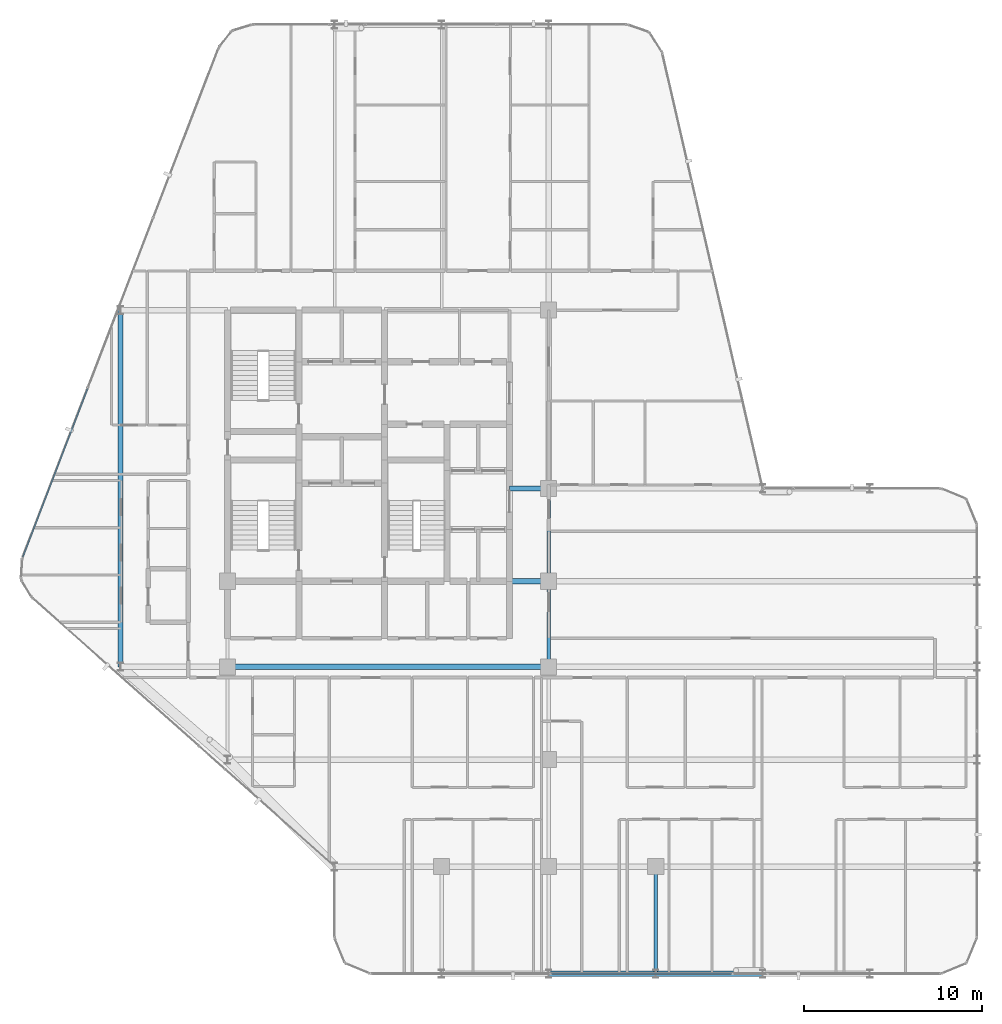
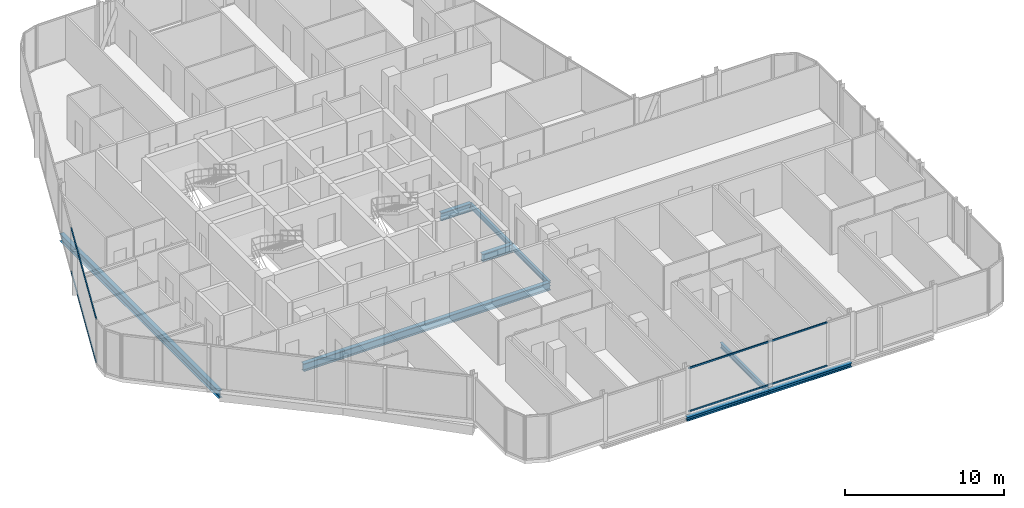
# One storey, part 9 of 29: 9 beams, 4 members, 2 elements without a shape of their own.
"""IFC4 building model written with IfcOpenShell, lengths in metres."""

from ifc_helpers import new_model, si_unit, direction, frame, origin, origin_2d, place, context, subcontext, project, spatial, hollow_rectangle, i_section, extrude, material, layer, layer_set, material_profile, profile_set, type_object, element, aggregate, save


model = new_model("IFC4")

# Units and contexts
model_context = context("Model", 3, precision=1e-05, world=origin(), true_north=direction((0.0, 1.0)))
body_context = subcontext(model_context, "Body", "Model", "MODEL_VIEW")
ifc_project = project(units=[si_unit("LENGTHUNIT", "METRE"), si_unit("AREAUNIT", "SQUARE_METRE"), si_unit("VOLUMEUNIT", "CUBIC_METRE"), si_unit("PLANEANGLEUNIT", "RADIAN"), si_unit("MASSUNIT", "GRAM", prefix="KILO")], contexts=[model_context])

# Site, building, storey
site_placement = place(None, origin())
site = spatial("IfcSite", under=ifc_project, at=site_placement, CompositionType="ELEMENT")
building_placement = place(site_placement, origin())
building = spatial("IfcBuilding", under=site, at=building_placement, Name="Keshet Zoharim Tower", CompositionType="ELEMENT")
storey_placement = place(building_placement, frame((0.0, 0.0, 172.800048828125)))
storey = spatial("IfcBuildingStorey", under=building, at=storey_placement, Name="L42", CompositionType="ELEMENT", Elevation=172.800048828125)

# Beams
ifc_material_1 = material(Name="Steel S355", Category="steel")
ifc_material_profile_1 = material_profile(ifc_material_1, i_section(OverallWidth=0.300048828125, OverallDepth=0.60009765625, WebThickness=0.015380859375, FlangeThickness=0.030029296875, FilletRadius=0.027099609375, at=origin_2d()), Name="HEB600")
ifc_profile_set_1 = profile_set([ifc_material_profile_1], Name="Steel S355")
beam_type_1 = type_object("IfcBeamType", Name="BM-CLK-HB600", PredefinedType="BEAM", material=ifc_profile_set_1)
for number, where, z_axis, x_axis, name in (
    (1, (30.800048828125, 22.699951171875, -0.610107421875), (1.0, 0.0, 0.0), (0.0, 1.0, 0.0), "L42 Core Wall Link Girder 01"),
    (2, (30.800048828125, 27.89990234375, -0.610107421875), (1.0, 0.0, 0.0), (0.0, 1.0, 0.0), "L42 Core Wall Link Girder 02"),
):
    element("IfcBeam", number, at=place(storey_placement, frame(where, z_axis=z_axis, x_axis=x_axis)), inside=storey, type_object=beam_type_1, Name=name, PredefinedType="BEAM", context=body_context, shape_type="SweptSolid", body=[
        extrude(i_section(OverallWidth=0.300048828125, OverallDepth=0.60009765625, WebThickness=0.015380859375, FlangeThickness=0.030029296875, FilletRadius=0.027099609375, at=origin_2d()), origin(), (0.0, 0.0, 1.0), 2.199951171875),
    ])
ifc_material_profile_2 = material_profile(ifc_material_1, i_section(OverallWidth=0.300048828125, OverallDepth=0.60009765625, WebThickness=0.015380859375, FlangeThickness=0.030029296875, FilletRadius=0.027099609375, at=origin_2d()), Name="HEB600")
ifc_profile_set_2 = profile_set([ifc_material_profile_2], Name="Steel S355")
beam_type_2 = type_object("IfcBeamType", Name="BM-LNG-HB600", PredefinedType="BEAM", material=ifc_profile_set_2)
beam_1_placement = place(storey_placement, frame((15.0, 17.89990234375, -0.610107421875), z_axis=(1.0, 0.0, 0.0), x_axis=(0.0, 1.0, 0.0)))
element("IfcBeam", 3, at=beam_1_placement, inside=storey, type_object=beam_type_2, Name="L42 Primary Girder X-012", PredefinedType="BEAM", context=body_context, shape_type="SweptSolid", body=[
    extrude(i_section(OverallWidth=0.300048828125, OverallDepth=0.60009765625, WebThickness=0.015380859375, FlangeThickness=0.030029296875, FilletRadius=0.027099609375, at=origin_2d()), origin(), (0.0, 0.0, 1.0), 18.0),
])
beam_2_placement = place(storey_placement, frame((9.0, 17.89990234375, -0.610107421875), z_axis=(0.0, 1.0, 0.0), x_axis=(-1.0, 0.0, 0.0)))
element("IfcBeam", 4, at=beam_2_placement, inside=storey, type_object=beam_type_2, Name="L42 Primary Girder Y-001", PredefinedType="BEAM", context=body_context, shape_type="SweptSolid", body=[
    extrude(i_section(OverallWidth=0.300048828125, OverallDepth=0.60009765625, WebThickness=0.015380859375, FlangeThickness=0.030029296875, FilletRadius=0.027099609375, at=origin_2d()), origin(), (0.0, 0.0, 1.0), 20.0),
])
ifc_material_profile_3 = material_profile(ifc_material_1, i_section(OverallWidth=0.300048828125, OverallDepth=0.300048828125, WebThickness=0.010986328125, FlangeThickness=0.01904296875, FilletRadius=0.027099609375, at=origin_2d()), Name="HEB300")
ifc_profile_set_3 = profile_set([ifc_material_profile_3], Name="Steel S355")
beam_type_3 = type_object("IfcBeamType", Name="BM-PRI-HB300", PredefinedType="BEAM", material=ifc_profile_set_3)
for number, where, z_axis, x_axis, name in (
    (5, (33.0, 0.699951171875, -0.4599609375), (1.0, 0.0, 0.0), (0.0, 1.0, 0.0), "L42 Primary Girder X-002"),
    (6, (39.0, 0.699951171875, -0.4599609375), (1.0, 0.0, 0.0), (0.0, 1.0, 0.0), "L42 Primary Girder X-003"),
):
    element("IfcBeam", number, at=place(storey_placement, frame(where, z_axis=z_axis, x_axis=x_axis)), inside=storey, type_object=beam_type_3, Name=name, PredefinedType="BEAM", context=body_context, shape_type="SweptSolid", body=[
        extrude(i_section(OverallWidth=0.300048828125, OverallDepth=0.300048828125, WebThickness=0.010986328125, FlangeThickness=0.01904296875, FilletRadius=0.027099609375, at=origin_2d()), origin(), (0.0, 0.0, 1.0), 6.0),
    ])
ifc_material_profile_4 = material_profile(ifc_material_1, i_section(OverallWidth=0.179931640625, OverallDepth=0.39990234375, WebThickness=0.008544921875, FlangeThickness=0.013427734375, FilletRadius=0.02099609375, at=origin_2d()), Name="IPE400")
ifc_profile_set_4 = profile_set([ifc_material_profile_4], Name="Steel S355")
beam_type_4 = type_object("IfcBeamType", Name="BM-PRI-IP400", PredefinedType="BEAM", material=ifc_profile_set_4)
beam_3_placement = place(storey_placement, frame((33.0, 17.89990234375, -0.510009765625), z_axis=(0.0, 1.0, 0.0), x_axis=(-1.0, 0.0, 0.0)))
element("IfcBeam", 7, at=beam_3_placement, inside=storey, type_object=beam_type_4, Name="L42 Primary Girder Y-008", PredefinedType="BEAM", context=body_context, shape_type="SweptSolid", body=[
    extrude(i_section(OverallWidth=0.179931640625, OverallDepth=0.39990234375, WebThickness=0.008544921875, FlangeThickness=0.013427734375, FilletRadius=0.02099609375, at=origin_2d()), origin(), (0.0, 0.0, 1.0), 4.800048828125),
])
beam_4_placement = place(storey_placement, frame((33.0, 22.699951171875, -0.510009765625), z_axis=(0.0, 1.0, 0.0), x_axis=(-1.0, 0.0, 0.0)))
element("IfcBeam", 8, at=beam_4_placement, inside=storey, type_object=beam_type_4, Name="L42 Primary Girder Y-009", PredefinedType="BEAM", context=body_context, shape_type="SweptSolid", body=[
    extrude(i_section(OverallWidth=0.179931640625, OverallDepth=0.39990234375, WebThickness=0.008544921875, FlangeThickness=0.013427734375, FilletRadius=0.02099609375, at=origin_2d()), origin(), (0.0, 0.0, 1.0), 5.199951171875),
])
beam_5_placement = place(storey_placement, frame((39.0, 0.699951171875, -0.510009765625), z_axis=(0.0, 1.0, 0.0), x_axis=(-1.0, 0.0, 0.0)))
element("IfcBeam", 9, at=beam_5_placement, inside=storey, type_object=beam_type_4, Name="L42 Primary Girder Y-012", PredefinedType="BEAM", context=body_context, shape_type="SweptSolid", body=[
    extrude(i_section(OverallWidth=0.179931640625, OverallDepth=0.39990234375, WebThickness=0.008544921875, FlangeThickness=0.013427734375, FilletRadius=0.02099609375, at=origin_2d()), origin(), (0.0, 0.0, 1.0), 6.0),
])

# Curtain wall, members
ifc_material_2 = material(Name="Aluminium 6063-T6", Category="aluminium")
ifc_layer = layer(ifc_material_2, 0.139892578125)
ifc_layer_set = layer_set([ifc_layer], Name="Aluminium 6063-T6")
curtain_wall_type = type_object("IfcCurtainWallType", Name="CW-SYS-05", PredefinedType="NOTDEFINED", material=ifc_layer_set)
curtain_wall_1_placement = place(storey_placement, origin())
curtain_wall_1 = element("IfcCurtainWall", 10, at=curtain_wall_1_placement, inside=storey, type_object=curtain_wall_type, Name="L42 Unitised Curtain Wall 06 Part 3", PredefinedType="NOTDEFINED")
ifc_material_profile_5 = material_profile(ifc_material_2, hollow_rectangle(XDim=0.074951171875, YDim=0.1201171875, WallThickness=0.00390625, at=origin_2d()), Name="TRN-75x120")
ifc_profile_set_5 = profile_set([ifc_material_profile_5], Name="Aluminium 6063-T6")
member_type = type_object("IfcMemberType", Name="CWT-T12", PredefinedType="USERDEFINED", material=ifc_profile_set_5)
member_1_placement = place(storey_placement, frame((43.251953125, 0.699951171875, 0.034912109375), z_axis=(-1.0, 0.0, 0.0), x_axis=(0.0, -1.0, 0.0)))
member_1 = element("IfcMember", 11, at=member_1_placement, type_object=member_type, Name="CW-05 transom 1.1", ObjectType="TRANSOM", PredefinedType="USERDEFINED", context=body_context, shape_type="SweptSolid", body=[
    extrude(hollow_rectangle(XDim=0.074951171875, YDim=0.1201171875, WallThickness=0.00390625, at=origin_2d()), origin(), (0.0, 0.0, 1.0), 10.091064453125),
])
member_2_placement = place(storey_placement, frame((43.251953125, 0.699951171875, 3.35498046875), z_axis=(-1.0, 0.0, 0.0), x_axis=(0.0, -1.0, 0.0)))
member_2 = element("IfcMember", 12, at=member_2_placement, type_object=member_type, Name="CW-05 transom 1.2", ObjectType="TRANSOM", PredefinedType="USERDEFINED", context=body_context, shape_type="SweptSolid", body=[
    extrude(hollow_rectangle(XDim=0.074951171875, YDim=0.1201171875, WallThickness=0.00390625, at=origin_2d()), origin(), (0.0, 0.0, 1.0), 10.091064453125),
])
aggregate(curtain_wall_1, [member_1, member_2])

curtain_wall_2_placement = place(storey_placement, origin())
curtain_wall_2 = element("IfcCurtainWall", 13, at=curtain_wall_2_placement, inside=storey, type_object=curtain_wall_type, Name="L42 Unitised Curtain Wall 13", PredefinedType="NOTDEFINED")
member_3_placement = place(storey_placement, frame((3.522216796875, 24.058349609375, 0.034912109375), z_axis=(0.358993631387, 0.93334000912, 0.0), x_axis=(-0.93334000912, 0.358993631387, 0.0)))
member_3 = element("IfcMember", 14, at=member_3_placement, type_object=member_type, Name="CW-05 transom 1.1", ObjectType="TRANSOM", PredefinedType="USERDEFINED", context=body_context, shape_type="SweptSolid", body=[
    extrude(hollow_rectangle(XDim=0.074951171875, YDim=0.1201171875, WallThickness=0.00390625, at=origin_2d()), origin(), (0.0, 0.0, 1.0), 10.1181640625),
])
member_4_placement = place(storey_placement, frame((3.522216796875, 24.058349609375, 3.35498046875), z_axis=(0.358993631387, 0.93334000912, 0.0), x_axis=(-0.93334000912, 0.358993631387, 0.0)))
member_4 = element("IfcMember", 15, at=member_4_placement, type_object=member_type, Name="CW-05 transom 1.2", ObjectType="TRANSOM", PredefinedType="USERDEFINED", context=body_context, shape_type="SweptSolid", body=[
    extrude(hollow_rectangle(XDim=0.074951171875, YDim=0.1201171875, WallThickness=0.00390625, at=origin_2d()), origin(), (0.0, 0.0, 1.0), 10.1181640625),
])
aggregate(curtain_wall_2, [member_3, member_4])

save(model, "model.ifc")
